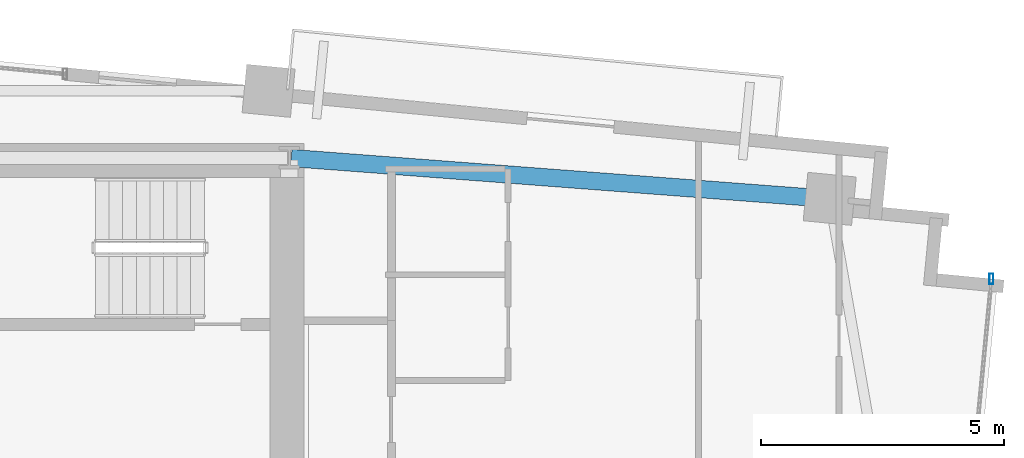
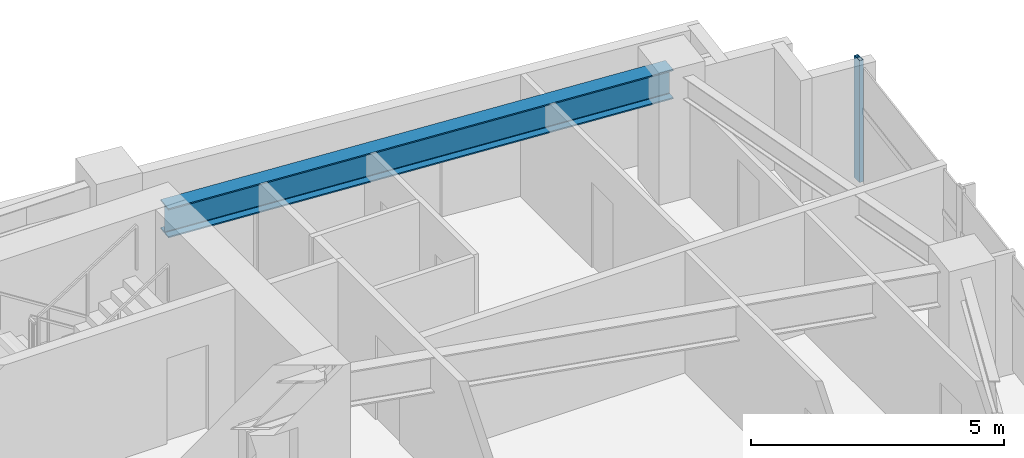
# One storey, part 12 of 19: 1 beam, 1 member, 1 element without a shape of its own.
"""IFC4 building model written with IfcOpenShell, lengths in metres."""

from ifc_helpers import new_model, si_unit, direction, frame, origin, origin_2d, place, context, subcontext, project, spatial, hollow_rectangle, i_section, extrude, source, transform, mapped, material, material_profile, profile_set, type_object, type_shapes, element, aggregate, save


model = new_model("IFC4")

# Units and contexts
model_context = context("Model", 3, precision=1e-05, world=origin(), true_north=direction((0.0, 1.0)))
body_context = subcontext(model_context, "Body", "Model", "MODEL_VIEW")
ifc_project = project(units=[si_unit("LENGTHUNIT", "METRE"), si_unit("AREAUNIT", "SQUARE_METRE"), si_unit("VOLUMEUNIT", "CUBIC_METRE"), si_unit("PLANEANGLEUNIT", "RADIAN"), si_unit("MASSUNIT", "GRAM", prefix="KILO")], contexts=[model_context])

# Site, building, storey
site_placement = place(None, origin())
site = spatial("IfcSite", under=ifc_project, at=site_placement, CompositionType="ELEMENT")
building_placement = place(site_placement, origin())
building = spatial("IfcBuilding", under=site, at=building_placement, Name="Astriad Promenade Condominiums", CompositionType="ELEMENT")
storey_placement = place(building_placement, frame((0.0, 0.0, 143.800048828125)))
storey = spatial("IfcBuildingStorey", under=building, at=storey_placement, Name="L41", CompositionType="ELEMENT", Elevation=143.800048828125)

# Beam
ifc_material_1 = material(Name="Steel ASTM A992 Grade 50", Category="steel")
ifc_material_profile_1 = material_profile(ifc_material_1, i_section(OverallWidth=0.35791015625, OverallDepth=0.706298828125, WebThickness=0.018310546875, FlangeThickness=0.0302734375, FilletRadius=0.020263671875, at=origin_2d()), Name="W27X178")
ifc_profile_set_1 = profile_set([ifc_material_profile_1], Name="Steel ASTM A992 Grade 50")
beam_type = type_object("IfcBeamType", Name="STEEL FLOOR GIRDER W27X178", PredefinedType="BEAM", material=ifc_profile_set_1)
shared_shape_1 = source(origin(), body_context, "Body", "SweptSolid", [
    extrude(i_section(OverallWidth=0.35791015625, OverallDepth=0.706298828125, WebThickness=0.018310546875, FlangeThickness=0.0302734375, FilletRadius=0.020263671875, at=origin_2d()), origin(), (0.0, 0.0, 1.0), 11.0712890625),
])
type_shapes(beam_type, [shared_shape_1])
beam_placement = place(storey_placement, frame((56.679443359375, 23.15966796875, 2.586669921875), z_axis=(-0.997135384808, 0.075637453445, 0.0), x_axis=(-0.075637453445, -0.997135384808, 0.0)))
element("IfcBeam", 1, at=beam_placement, inside=storey, type_object=beam_type, Name="Primary Floor Girder PG-NE-L41", PredefinedType="BEAM", context=body_context, shape_type="MappedRepresentation", body=[
    mapped(shared_shape_1, transform((0.0, 0.0, 0.0), scale=1.0)),
])

# Curtain wall, member
ifc_material_2 = material(Name="Anodised aluminium Black Dark Glass Unitised", Category="aluminium")
curtain_wall_type = type_object("IfcCurtainWallType", Name="CW-B34-DARK", PredefinedType="USERDEFINED", material=ifc_material_2)
curtain_wall_placement = place(storey_placement, origin())
curtain_wall = element("IfcCurtainWall", 2, at=curtain_wall_placement, inside=storey, type_object=curtain_wall_type, Name="CW-L41-E", ObjectType="UNITISED_CURTAIN_WALL", PredefinedType="USERDEFINED")
ifc_material_3 = material(Name="Anodised aluminium 6063-T6 Black", Category="aluminium")
ifc_material_profile_2 = material_profile(ifc_material_3, hollow_rectangle(XDim=0.0849609375, YDim=0.219970703125, WallThickness=0.0048828125, at=origin_2d()), Name="ALU-MUL-85X220")
ifc_profile_set_2 = profile_set([ifc_material_profile_2], Name="Anodised aluminium 6063-T6 Black")
member_type = type_object("IfcMemberType", Name="MUL-ALU-MUL-85X220", PredefinedType="MULLION", material=ifc_profile_set_2)
shared_shape_2 = source(origin(), body_context, "Body", "SweptSolid", [
    extrude(hollow_rectangle(XDim=0.0849609375, YDim=0.219970703125, WallThickness=0.0048828125, at=origin_2d()), origin(), (0.0, 0.0, 1.0), 2.93994140625),
])
type_shapes(member_type, [shared_shape_2])
member_placement = place(storey_placement, frame((60.046875, 21.51025390625, 0.0), z_axis=(0.0, 0.0, 1.0), x_axis=(1.0, 0.0, 0.0)))
member = element("IfcMember", 3, at=member_placement, type_object=member_type, Name="CW-L41-E-MUL-00", PredefinedType="MULLION", context=body_context, shape_type="MappedRepresentation", body=[
    mapped(shared_shape_2, transform((0.0, 0.0, 0.0), scale=1.0)),
])
aggregate(curtain_wall, [member])

save(model, "model.ifc")
